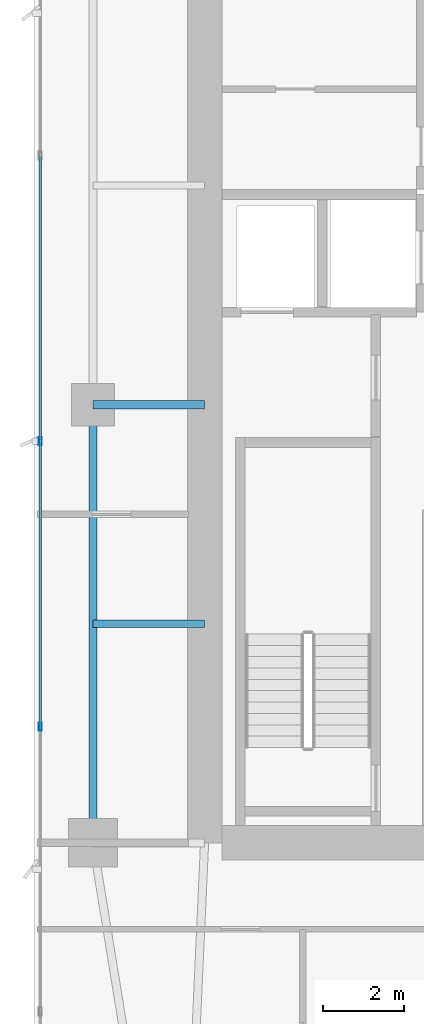
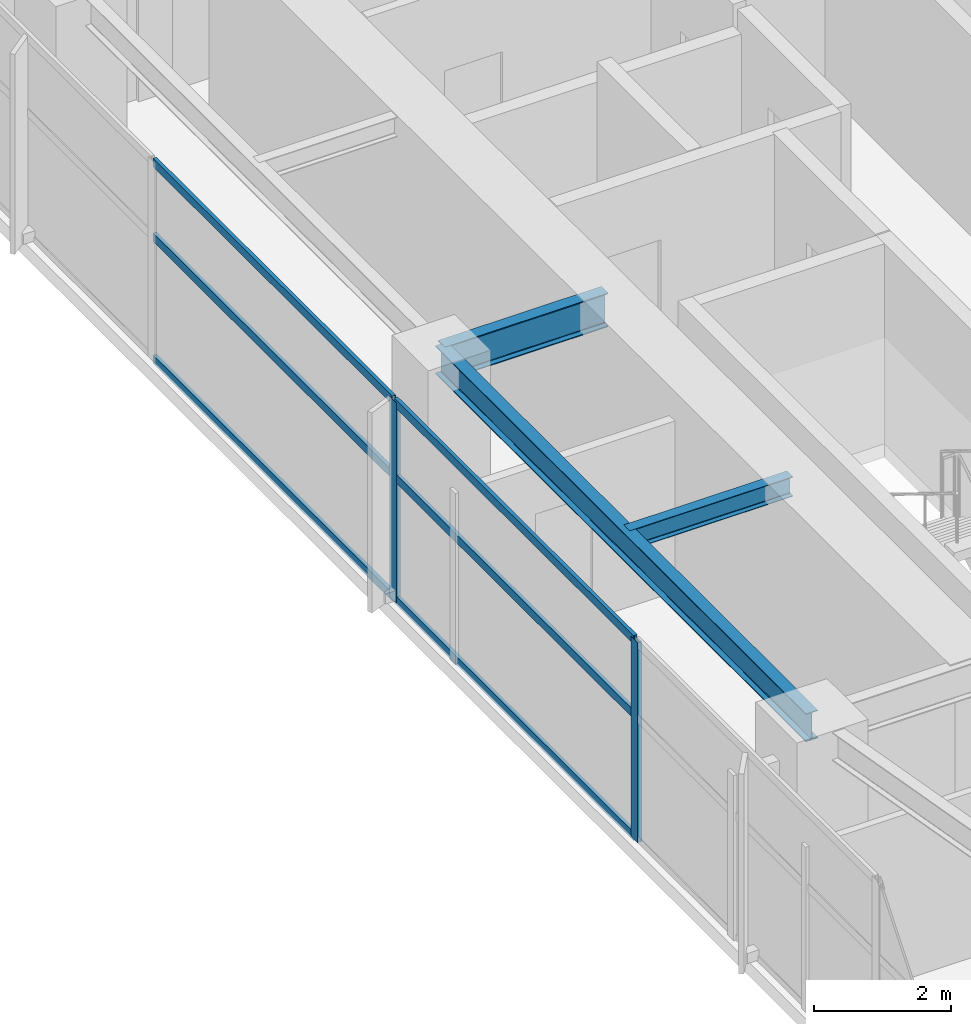
# One storey, part 8 of 28: 8 members, 3 beams, 1 element without a shape of its own.
"""IFC4 building model written with IfcOpenShell, lengths in metres."""

from ifc_helpers import new_model, si_unit, direction, frame, origin, origin_2d, place, context, subcontext, project, spatial, hollow_rectangle, i_section, extrude, material, layer, layer_set, material_profile, profile_set, type_object, element, aggregate, save


model = new_model("IFC4")

# Units and contexts
model_context = context("Model", 3, precision=1e-05, world=origin(), true_north=direction((0.0, 1.0)))
body_context = subcontext(model_context, "Body", "Model", "MODEL_VIEW")
ifc_project = project(units=[si_unit("LENGTHUNIT", "METRE"), si_unit("AREAUNIT", "SQUARE_METRE"), si_unit("VOLUMEUNIT", "CUBIC_METRE"), si_unit("PLANEANGLEUNIT", "RADIAN"), si_unit("MASSUNIT", "GRAM", prefix="KILO")], contexts=[model_context])

# Site, building, storey
site_placement = place(None, origin())
site = spatial("IfcSite", under=ifc_project, at=site_placement, CompositionType="ELEMENT")
building_placement = place(site_placement, origin())
building = spatial("IfcBuilding", under=site, at=building_placement, Name="Calvorn Quay Hotel", CompositionType="ELEMENT")
storey_placement = place(building_placement, frame((0.0, 0.0, 156.10009765625)))
storey = spatial("IfcBuildingStorey", under=building, at=storey_placement, Name="L38", CompositionType="ELEMENT", Elevation=156.10009765625)

# Beams
ifc_material_1 = material(Name="Steel Q355B", Category="steel")
ifc_material_profile_1 = material_profile(ifc_material_1, i_section(OverallWidth=0.199951171875, OverallDepth=0.60009765625, WebThickness=0.010986328125, FlangeThickness=0.01708984375, FilletRadius=0.01806640625, at=origin_2d()), Name="HN600x200x11x17")
ifc_profile_set_1 = profile_set([ifc_material_profile_1], Name="Steel Q355B")
beam_type_1 = type_object("IfcBeamType", Name="BM-GIRD-TYP", PredefinedType="BEAM", material=ifc_profile_set_1)
beam_1_placement = place(storey_placement, frame((1.449951171875, 27.60009765625, 3.239990234375), z_axis=(1.0, 0.0, 0.0), x_axis=(0.0, 1.0, 0.0)))
element("IfcBeam", 1, at=beam_1_placement, inside=storey, type_object=beam_type_1, Name="Beam BG-L38-W2", PredefinedType="BEAM", context=body_context, shape_type="SweptSolid", body=[
    extrude(i_section(OverallWidth=0.199951171875, OverallDepth=0.60009765625, WebThickness=0.010986328125, FlangeThickness=0.01708984375, FilletRadius=0.01806640625, at=origin_2d()), origin(), (0.0, 0.0, 1.0), 2.75),
])
ifc_material_2 = material(Name="Steel Q355B", Category="steel")
ifc_material_profile_2 = material_profile(ifc_material_2, i_section(OverallWidth=0.175048828125, OverallDepth=0.35009765625, WebThickness=0.007080078125, FlangeThickness=0.010986328125, FilletRadius=0.013916015625, at=origin_2d()), Name="HN350x175x7x11")
ifc_profile_set_2 = profile_set([ifc_material_profile_2], Name="Steel Q355B")
beam_type_2 = type_object("IfcBeamType", Name="BM-JOIST-SEC", PredefinedType="JOIST", material=ifc_profile_set_2)
beam_2_placement = place(storey_placement, frame((1.449951171875, 22.199951171875, 3.364990234375), z_axis=(1.0, 0.0, 0.0), x_axis=(0.0, 1.0, 0.0)))
element("IfcBeam", 2, at=beam_2_placement, inside=storey, type_object=beam_type_2, Name="Beam BJ-L38-W3", PredefinedType="JOIST", context=body_context, shape_type="SweptSolid", body=[
    extrude(i_section(OverallWidth=0.175048828125, OverallDepth=0.35009765625, WebThickness=0.007080078125, FlangeThickness=0.010986328125, FilletRadius=0.013916015625, at=origin_2d()), origin(), (0.0, 0.0, 1.0), 2.75),
])
ifc_material_3 = material(Name="Steel Q355B", Category="steel")
ifc_material_profile_3 = material_profile(ifc_material_3, i_section(OverallWidth=0.199951171875, OverallDepth=0.5, WebThickness=0.010009765625, FlangeThickness=0.01611328125, FilletRadius=0.01611328125, at=origin_2d()), Name="HN500x200x10x16")
ifc_profile_set_3 = profile_set([ifc_material_profile_3], Name="Steel Q355B")
beam_type_3 = type_object("IfcBeamType", Name="BM-SPANDREL-Z1", PredefinedType="SPANDREL", material=ifc_profile_set_3)
beam_3_placement = place(storey_placement, frame((1.449951171875, 16.800048828125, 3.289794921875), z_axis=(0.0, 1.0, 0.0), x_axis=(-1.0, 0.0, 0.0)))
element("IfcBeam", 3, at=beam_3_placement, inside=storey, type_object=beam_type_3, Name="Beam BSP-L38-W2", PredefinedType="SPANDREL", context=body_context, shape_type="SweptSolid", body=[
    extrude(i_section(OverallWidth=0.199951171875, OverallDepth=0.5, WebThickness=0.010009765625, FlangeThickness=0.01611328125, FilletRadius=0.01611328125, at=origin_2d()), origin(), (0.0, 0.0, 1.0), 10.800048828125),
])

# Curtain wall, members
ifc_material_4 = material(Name="Pale Anodised Aluminium and Low-E Glass", Category="aluminium")
ifc_layer = layer(ifc_material_4, 0.219970703125)
ifc_layer_set = layer_set([ifc_layer], Name="CW-SYS-Z2")
curtain_wall_type = type_object("IfcCurtainWallType", Name="CW-SYS-Z2", PredefinedType="NOTDEFINED", material=ifc_layer_set)
curtain_wall_placement = place(storey_placement, origin())
curtain_wall = element("IfcCurtainWall", 4, at=curtain_wall_placement, inside=storey, type_object=curtain_wall_type, Name="Tower West Curtain Wall (L38)", PredefinedType="NOTDEFINED")
ifc_material_5 = material(Name="Pale Anodised Aluminium 6063-T6", Category="aluminium")
ifc_material_profile_4 = material_profile(ifc_material_5, hollow_rectangle(XDim=0.070068359375, YDim=0.199951171875, WallThickness=0.00390625, at=origin_2d()), Name="ALU-M200x70x4")
ifc_profile_set_4 = profile_set([ifc_material_profile_4], Name="Pale Anodised Aluminium 6063-T6")
member_type_1 = type_object("IfcMemberType", Name="CW-SYS-Z2-MUL", PredefinedType="MULLION", material=ifc_profile_set_4)
member_1_placement = place(storey_placement, frame((0.14990234375, 19.666748046875, 0.0), z_axis=(0.0, 0.0, 1.0), x_axis=(-1.0, 0.0, 0.0)))
member_1 = element("IfcMember", 5, at=member_1_placement, type_object=member_type_1, Name="CW-L38-W mullion 3", PredefinedType="MULLION", context=body_context, shape_type="SweptSolid", body=[
    extrude(hollow_rectangle(XDim=0.070068359375, YDim=0.199951171875, WallThickness=0.00390625, at=origin_2d()), origin(), (0.0, 0.0, 1.0), 3.559814453125),
])
member_2_placement = place(storey_placement, frame((0.14990234375, 26.699951171875, 0.0), z_axis=(0.0, 0.0, 1.0), x_axis=(-1.0, 0.0, 0.0)))
member_2 = element("IfcMember", 6, at=member_2_placement, type_object=member_type_1, Name="CW-L38-W mullion 4", PredefinedType="MULLION", context=body_context, shape_type="SweptSolid", body=[
    extrude(hollow_rectangle(XDim=0.070068359375, YDim=0.199951171875, WallThickness=0.00390625, at=origin_2d()), origin(), (0.0, 0.0, 1.0), 3.559814453125),
])
ifc_material_6 = material(Name="Pale Anodised Aluminium 6063-T6", Category="aluminium")
ifc_material_profile_5 = material_profile(ifc_material_6, hollow_rectangle(XDim=0.06005859375, YDim=0.14990234375, WallThickness=0.00341796875, at=origin_2d()), Name="ALU-T150x60x3.5")
ifc_profile_set_5 = profile_set([ifc_material_profile_5], Name="Pale Anodised Aluminium 6063-T6")
member_type_2 = type_object("IfcMemberType", Name="CW-SYS-Z2-TRN", PredefinedType="USERDEFINED", material=ifc_profile_set_5)
member_3_placement = place(storey_placement, frame((0.14990234375, 19.69677734375, 0.02978515625), z_axis=(0.0, 1.0, 0.0), x_axis=(-1.0, 0.0, 0.0)))
member_3 = element("IfcMember", 7, at=member_3_placement, type_object=member_type_2, Name="CW-L38-W transom 3.1", ObjectType="TRANSOM", PredefinedType="USERDEFINED", context=body_context, shape_type="SweptSolid", body=[
    extrude(hollow_rectangle(XDim=0.06005859375, YDim=0.14990234375, WallThickness=0.00341796875, at=origin_2d()), origin(), (0.0, 0.0, 1.0), 6.97314453125),
])
member_4_placement = place(storey_placement, frame((0.14990234375, 19.69677734375, 2.199951171875), z_axis=(0.0, 1.0, 0.0), x_axis=(-1.0, 0.0, 0.0)))
member_4 = element("IfcMember", 8, at=member_4_placement, type_object=member_type_2, Name="CW-L38-W transom 3.2", ObjectType="TRANSOM", PredefinedType="USERDEFINED", context=body_context, shape_type="SweptSolid", body=[
    extrude(hollow_rectangle(XDim=0.06005859375, YDim=0.14990234375, WallThickness=0.00341796875, at=origin_2d()), origin(), (0.0, 0.0, 1.0), 6.97314453125),
])
member_5_placement = place(storey_placement, frame((0.14990234375, 19.69677734375, 3.52978515625), z_axis=(0.0, 1.0, 0.0), x_axis=(-1.0, 0.0, 0.0)))
member_5 = element("IfcMember", 9, at=member_5_placement, type_object=member_type_2, Name="CW-L38-W transom 3.3", ObjectType="TRANSOM", PredefinedType="USERDEFINED", context=body_context, shape_type="SweptSolid", body=[
    extrude(hollow_rectangle(XDim=0.06005859375, YDim=0.14990234375, WallThickness=0.00341796875, at=origin_2d()), origin(), (0.0, 0.0, 1.0), 6.97314453125),
])
member_6_placement = place(storey_placement, frame((0.14990234375, 26.72998046875, 0.02978515625), z_axis=(0.0, 1.0, 0.0), x_axis=(-1.0, 0.0, 0.0)))
member_6 = element("IfcMember", 10, at=member_6_placement, type_object=member_type_2, Name="CW-L38-W transom 4.1", ObjectType="TRANSOM", PredefinedType="USERDEFINED", context=body_context, shape_type="SweptSolid", body=[
    extrude(hollow_rectangle(XDim=0.06005859375, YDim=0.14990234375, WallThickness=0.00341796875, at=origin_2d()), origin(), (0.0, 0.0, 1.0), 6.973388671875),
])
member_7_placement = place(storey_placement, frame((0.14990234375, 26.72998046875, 2.199951171875), z_axis=(0.0, 1.0, 0.0), x_axis=(-1.0, 0.0, 0.0)))
member_7 = element("IfcMember", 11, at=member_7_placement, type_object=member_type_2, Name="CW-L38-W transom 4.2", ObjectType="TRANSOM", PredefinedType="USERDEFINED", context=body_context, shape_type="SweptSolid", body=[
    extrude(hollow_rectangle(XDim=0.06005859375, YDim=0.14990234375, WallThickness=0.00341796875, at=origin_2d()), origin(), (0.0, 0.0, 1.0), 6.973388671875),
])
member_8_placement = place(storey_placement, frame((0.14990234375, 26.72998046875, 3.52978515625), z_axis=(0.0, 1.0, 0.0), x_axis=(-1.0, 0.0, 0.0)))
member_8 = element("IfcMember", 12, at=member_8_placement, type_object=member_type_2, Name="CW-L38-W transom 4.3", ObjectType="TRANSOM", PredefinedType="USERDEFINED", context=body_context, shape_type="SweptSolid", body=[
    extrude(hollow_rectangle(XDim=0.06005859375, YDim=0.14990234375, WallThickness=0.00341796875, at=origin_2d()), origin(), (0.0, 0.0, 1.0), 6.973388671875),
])
aggregate(curtain_wall, [member_1, member_2, member_3, member_4, member_5, member_6, member_7, member_8])

save(model, "model.ifc")
